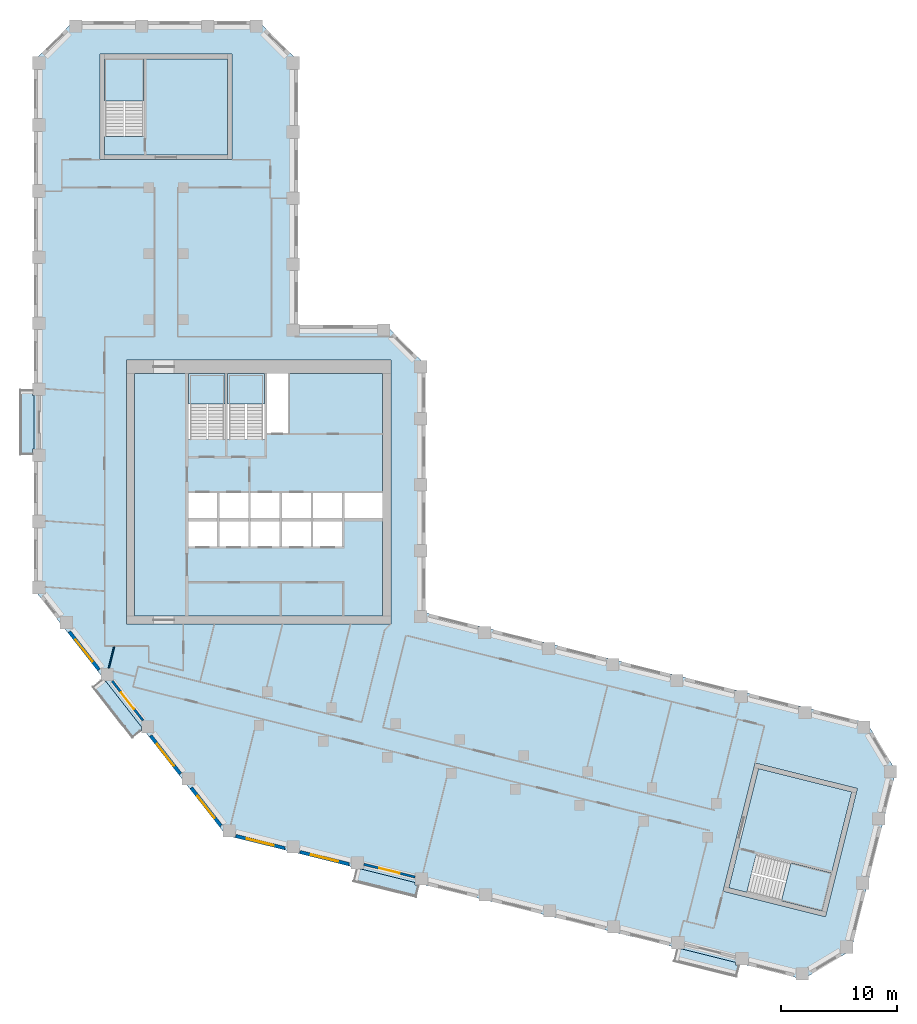
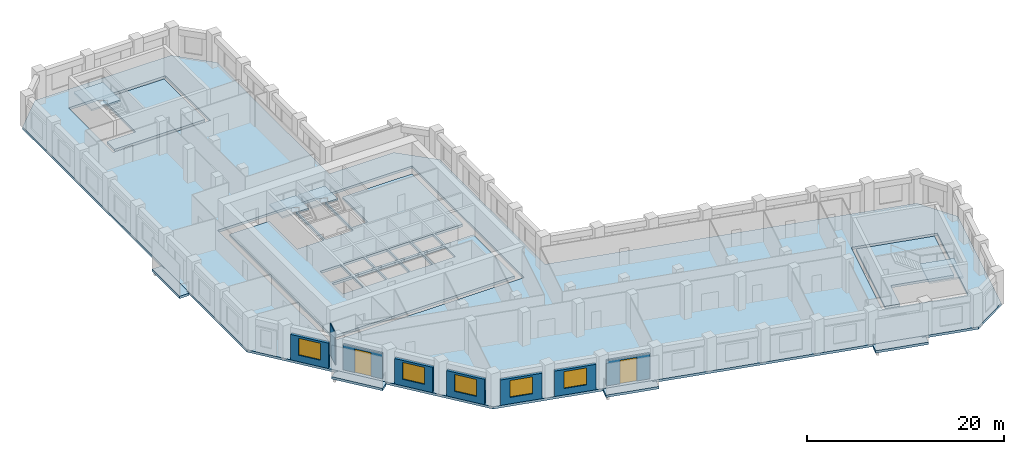
# One storey, part 2 of 10: 12 slabs, 8 walls, 5 windows, 2 doors, 7 openings, 4 elements without a shape of their own.
"""IFC4 building model written with IfcOpenShell, lengths in metres."""

from ifc_helpers import new_model, si_unit, direction, frame, frame_2d, origin, place, context, subcontext, project, spatial, polyline, rectangle, outline, extrude, material, layer, layer_set, type_object, element, fill, aggregate, save


model = new_model("IFC4")

# Units and contexts
model_context = context("Model", 3, precision=1e-05, world=origin(), true_north=direction((0.0, 1.0)))
body_context = subcontext(model_context, "Body", "Model", "MODEL_VIEW")
ifc_project = project(units=[si_unit("LENGTHUNIT", "METRE"), si_unit("AREAUNIT", "SQUARE_METRE"), si_unit("VOLUMEUNIT", "CUBIC_METRE"), si_unit("PLANEANGLEUNIT", "RADIAN"), si_unit("MASSUNIT", "GRAM", prefix="KILO")], contexts=[model_context])

# Site, building, storey
site_placement = place(None, origin())
site = spatial("IfcSite", under=ifc_project, at=site_placement, CompositionType="ELEMENT")
building_placement = place(site_placement, origin())
building = spatial("IfcBuilding", under=site, at=building_placement, Name="Meshkara Civic Tower", CompositionType="ELEMENT")
storey_placement = place(building_placement, frame((0.0, 0.0, 271.800048828125)))
storey = spatial("IfcBuildingStorey", under=building, at=storey_placement, Name="L62", CompositionType="ELEMENT", Elevation=271.800048828125)

# Slabs
ifc_material_1 = material(Name="Concrete C40", Category="concrete")
ifc_layer_1 = layer(ifc_material_1, 0.300048828125)
ifc_layer_set_1 = layer_set([ifc_layer_1], Name="BALCONY SLAB")
slab_type_1 = type_object("IfcSlabType", Name="BALCONY SLAB", PredefinedType="FLOOR", material=ifc_layer_set_1)
slab_1_placement = place(storey_placement, frame((0.0, 0.0, -0.300048828125)))
element("IfcSlab", 1, at=slab_1_placement, inside=storey, type_object=slab_type_1, Name="Balcony slab", PredefinedType="FLOOR", context=body_context, shape_type="SweptSolid", body=[
    extrude(outline(polyline([(-1.199951171875, 28.715087890625), (-1.199951171875, 34.294921875), (-0.10009765625, 34.294921875), (-0.10009765625, 33.804931640625), (0.0, 33.804931640625), (0.0, 29.205078125), (-0.10009765625, 29.205078125), (-0.10009765625, 28.715087890625), (-1.199951171875, 28.715087890625)])), origin(), (0.0, 0.0, 1.0), 0.300048828125),
])
slab_2_placement = place(storey_placement, frame((0.0, 0.0, -0.300048828125)))
element("IfcSlab", 2, at=slab_2_placement, inside=storey, type_object=slab_type_1, Name="Balcony slab", PredefinedType="FLOOR", context=body_context, shape_type="SweptSolid", body=[
    extrude(outline(polyline([(8.49609375, 4.27587890625), (5.06005859375, 8.674072265625), (5.77294921875, 9.23095703125), (5.77294921875, 9.18701171875), (6.181884765625, 9.18701171875), (9.282958984375, 5.218017578125), (9.282958984375, 4.89111328125), (8.49609375, 4.27587890625)])), origin(), (0.0, 0.0, 1.0), 0.300048828125),
])
slab_3_placement = place(storey_placement, frame((0.0, 0.0, -0.300048828125)))
element("IfcSlab", 3, at=slab_3_placement, inside=storey, type_object=slab_type_1, Name="Balcony slab", PredefinedType="FLOOR", context=body_context, shape_type="SweptSolid", body=[
    extrude(outline(polyline([(32.986083984375, -9.4609375), (27.571044921875, -8.111083984375), (27.8369140625, -7.0458984375), (28.260009765625, -7.0458984375), (32.89306640625, -8.200927734375), (32.89306640625, -8.425048828125), (33.243896484375, -8.425048828125), (32.986083984375, -9.4609375)])), origin(), (0.0, 0.0, 1.0), 0.300048828125),
])
slab_4_placement = place(storey_placement, frame((0.0, 0.0, -0.300048828125)))
element("IfcSlab", 4, at=slab_4_placement, inside=storey, type_object=slab_type_1, Name="Balcony slab", PredefinedType="FLOOR", context=body_context, shape_type="SweptSolid", body=[
    extrude(outline(polyline([(60.639892578125, -16.35595703125), (55.22509765625, -15.006103515625), (55.490966796875, -13.93994140625), (55.910888671875, -13.93994140625), (60.547119140625, -15.095947265625), (60.547119140625, -15.319091796875), (60.89794921875, -15.319091796875), (60.639892578125, -16.35595703125)])), origin(), (0.0, 0.0, 1.0), 0.300048828125),
])
ifc_material_2 = material(Name="Concrete C40/50", Category="concrete")
ifc_layer_2 = layer(ifc_material_2, 0.300048828125)
ifc_layer_set_2 = layer_set([ifc_layer_2], Name="Core floor slab 300 C40/50")
slab_type_2 = type_object("IfcSlabType", Name="Core floor slab 300 C40/50", PredefinedType="FLOOR", material=ifc_layer_set_2)
slab_5_placement = place(storey_placement, frame((0.0, 0.0, -0.300048828125)))
element("IfcSlab", 5, at=slab_5_placement, inside=storey, type_object=slab_type_2, Name="Core floor K", PredefinedType="FLOOR", context=body_context, shape_type="SweptSolid", body=[
    extrude(outline(polyline([(8.699951171875, 35.699951171875), (13.35009765625, 35.699951171875), (13.35009765625, 30.00146484375), (16.5, 30.00146484375), (16.5, 35.699951171875), (16.699951171875, 35.699951171875), (16.699951171875, 30.00146484375), (19.89990234375, 30.00146484375), (19.89990234375, 35.699951171875), (20.10009765625, 35.699951171875), (20.10009765625, 30.574951171875), (21.925048828125, 30.574951171875), (21.925048828125, 35.699951171875), (30.10009765625, 35.699951171875), (30.10009765625, 25.39990234375), (26.800048828125, 25.39990234375), (26.800048828125, 23.25), (30.10009765625, 23.25), (30.10009765625, 14.800048828125), (8.699951171875, 14.800048828125), (8.699951171875, 35.699951171875)]), holes=[polyline([(15.800048828125, 22.949951171875), (13.35009765625, 22.949951171875), (13.35009765625, 20.800048828125), (15.800048828125, 20.800048828125), (15.800048828125, 22.949951171875)]), polyline([(16.0, 22.949951171875), (16.0, 20.800048828125), (18.5, 20.800048828125), (18.5, 22.949951171875), (16.0, 22.949951171875)]), polyline([(18.699951171875, 22.949951171875), (18.699951171875, 20.800048828125), (21.199951171875, 20.800048828125), (21.199951171875, 22.949951171875), (18.699951171875, 22.949951171875)]), polyline([(15.800048828125, 23.25), (15.800048828125, 25.39990234375), (13.35009765625, 25.39990234375), (13.35009765625, 23.25), (15.800048828125, 23.25)]), polyline([(16.0, 25.39990234375), (16.0, 23.25), (18.5, 23.25), (18.5, 25.39990234375), (16.0, 25.39990234375)]), polyline([(23.89990234375, 20.800048828125), (23.89990234375, 22.949951171875), (21.39990234375, 22.949951171875), (21.39990234375, 20.800048828125), (23.89990234375, 20.800048828125)]), polyline([(24.10009765625, 20.800048828125), (26.60009765625, 20.800048828125), (26.60009765625, 22.949951171875), (24.10009765625, 22.949951171875), (24.10009765625, 20.800048828125)]), polyline([(18.699951171875, 25.39990234375), (18.699951171875, 23.25), (21.199951171875, 23.25), (21.199951171875, 25.39990234375), (18.699951171875, 25.39990234375)]), polyline([(21.39990234375, 23.25), (23.89990234375, 23.25), (23.89990234375, 25.39990234375), (21.39990234375, 25.39990234375), (21.39990234375, 23.25)]), polyline([(26.60009765625, 23.25), (26.60009765625, 25.39990234375), (24.10009765625, 25.39990234375), (24.10009765625, 23.25), (26.60009765625, 23.25)])]), origin(), (0.0, 0.0, 1.0), 0.300048828125),
])
slab_6_placement = place(storey_placement, frame((0.0, 0.0, -0.300048828125)))
element("IfcSlab", 6, at=slab_6_placement, inside=storey, type_object=slab_type_2, Name="Core floor EA", PredefinedType="FLOOR", context=body_context, shape_type="SweptSolid", body=[
    extrude(outline(polyline([(16.699951171875, 54.570068359375), (16.699951171875, 62.8701171875), (9.5, 62.8701171875), (9.5, 56.17138671875), (6.10009765625, 56.17138671875), (6.10009765625, 54.570068359375), (16.699951171875, 54.570068359375)])), origin(), (0.0, 0.0, 1.0), 0.300048828125),
])
slab_7_placement = place(storey_placement, frame((0.0, 0.0, -0.300048828125)))
element("IfcSlab", 7, at=slab_7_placement, inside=storey, type_object=slab_type_2, Name="Core floor EB", PredefinedType="FLOOR", context=body_context, shape_type="SweptSolid", body=[
    extrude(outline(polyline([(62.519775390625, 1.623291015625), (70.5732421875, -0.384765625), (68.83154296875, -7.370849609375), (62.33203125, -5.750244140625), (61.50927734375, -9.04931640625), (59.95556640625, -8.661865234375), (62.519775390625, 1.623291015625)])), origin(), (0.0, 0.0, 1.0), 0.300048828125),
])

# Stair, slab
ifc_material_3 = material(Name="Precast concrete C40/50", Category="concrete")
stair_type_1 = type_object("IfcStairType", Name="Exit stair half-turn 24 risers precast", PredefinedType="HALF_TURN_STAIR", material=ifc_material_3)
stair_1_placement = place(storey_placement, origin())
stair_1 = element("IfcStair", 8, at=stair_1_placement, inside=storey, type_object=stair_type_1, Name="L62 exit stair 1", PredefinedType="HALF_TURN_STAIR")
ifc_material_4 = material(Name="Precast concrete C40/50", Category="concrete")
ifc_layer_3 = layer(ifc_material_4, 0.199951171875)
ifc_layer_set_3 = layer_set([ifc_layer_3], Name="Exit stair landing 200")
slab_type_3 = type_object("IfcSlabType", Name="Exit stair landing 200", PredefinedType="LANDING", material=ifc_layer_set_3)
slab_8_placement = place(storey_placement, frame((0.0, 0.0, 1.89990234375)))
slab_8 = element("IfcSlab", 9, at=slab_8_placement, type_object=slab_type_3, Name="ST1 landing 1", PredefinedType="LANDING", context=body_context, shape_type="SweptSolid", body=[
    extrude(outline(polyline([(16.5, 33.07861328125), (16.5, 35.699951171875), (13.35009765625, 35.699951171875), (13.35009765625, 33.07861328125), (16.5, 33.07861328125)])), origin(), (0.0, 0.0, 1.0), 0.199951171875),
])
aggregate(stair_1, [slab_8])

stair_2_placement = place(storey_placement, origin())
stair_2 = element("IfcStair", 10, at=stair_2_placement, inside=storey, type_object=stair_type_1, Name="L62 exit stair 2", PredefinedType="HALF_TURN_STAIR")
slab_9_placement = place(storey_placement, frame((0.0, 0.0, 1.89990234375)))
slab_9 = element("IfcSlab", 11, at=slab_9_placement, type_object=slab_type_3, Name="ST2 landing 1", PredefinedType="LANDING", context=body_context, shape_type="SweptSolid", body=[
    extrude(outline(polyline([(19.89990234375, 33.07861328125), (19.89990234375, 35.699951171875), (16.699951171875, 35.699951171875), (16.699951171875, 33.07861328125), (19.89990234375, 33.07861328125)])), origin(), (0.0, 0.0, 1.0), 0.199951171875),
])
aggregate(stair_2, [slab_9])

ifc_material_5 = material(Name="Precast concrete C40/50", Category="concrete")
stair_type_2 = type_object("IfcStairType", Name="Exit stair half-turn 24 risers 1600 precast", PredefinedType="HALF_TURN_STAIR", material=ifc_material_5)
stair_3_placement = place(storey_placement, origin())
stair_3 = element("IfcStair", 12, at=stair_3_placement, inside=storey, type_object=stair_type_2, Name="L62 exit stair A from L50", PredefinedType="HALF_TURN_STAIR")
slab_10_placement = place(storey_placement, frame((0.0, 0.0, 1.89990234375)))
slab_10 = element("IfcSlab", 13, at=slab_10_placement, type_object=slab_type_3, Name="ESA4 landing 1", PredefinedType="LANDING", context=body_context, shape_type="SweptSolid", body=[
    extrude(outline(polyline([(9.5, 59.24853515625), (9.5, 62.8701171875), (6.10009765625, 62.8701171875), (6.10009765625, 59.24853515625), (9.5, 59.24853515625)])), origin(), (0.0, 0.0, 1.0), 0.199951171875),
])
aggregate(stair_3, [slab_10])

stair_4_placement = place(storey_placement, origin())
stair_4 = element("IfcStair", 14, at=stair_4_placement, inside=storey, type_object=stair_type_2, Name="L62 exit stair B from L50", PredefinedType="HALF_TURN_STAIR")
slab_11_placement = place(storey_placement, frame((0.0, 0.0, 1.89990234375)))
slab_11 = element("IfcSlab", 15, at=slab_11_placement, type_object=slab_type_3, Name="ESB4 landing 1", PredefinedType="LANDING", context=body_context, shape_type="SweptSolid", body=[
    extrude(outline(polyline([(64.49462890625, -9.794677734375), (68.0087890625, -10.67138671875), (68.83203125, -7.371337890625), (65.318115234375, -6.49462890625), (64.49462890625, -9.794677734375)])), origin(), (0.0, 0.0, 1.0), 0.199951171875),
])
aggregate(stair_4, [slab_11])

# Slab
ifc_material_6 = material(Name="Concrete C50", Category="concrete")
ifc_layer_4 = layer(ifc_material_6, 0.300048828125)
ifc_layer_set_4 = layer_set([ifc_layer_4], Name="Post-tensioned flat slab 300 C50")
slab_type_4 = type_object("IfcSlabType", Name="Post-tensioned flat slab 300 C50", PredefinedType="FLOOR", material=ifc_layer_set_4)
slab_12_placement = place(storey_placement, frame((0.0, 0.0, -0.300048828125)))
element("IfcSlab", 16, at=slab_12_placement, inside=storey, type_object=slab_type_4, Name="Post-tensioned flat slab L62", PredefinedType="FLOOR", context=body_context, shape_type="SweptSolid", body=[
    extrude(outline(polyline([(70.513916015625, -14.055908203125), (66.367919921875, -16.547119140625), (16.592041015625, -4.136962890625), (0.0, 17.10009765625), (0.0, 62.699951171875), (3.419921875, 66.1201171875), (19.3798828125, 66.1201171875), (22.800048828125, 62.699951171875), (22.800048828125, 39.89990234375), (30.3798828125, 39.89990234375), (33.800048828125, 36.47998046875), (33.800048828125, 15.071044921875), (71.884033203125, 5.574951171875), (74.375, 1.429931640625), (70.513916015625, -14.055908203125)]), holes=[polyline([(68.300048828125, -11.155029296875), (71.05810546875, -0.093017578125), (62.22802734375, 2.10791015625), (59.470947265625, -8.952880859375), (68.300048828125, -11.155029296875)]), polyline([(8.0, 14.10009765625), (30.800048828125, 14.10009765625), (30.800048828125, 36.89990234375), (8.0, 36.89990234375), (8.0, 14.10009765625)]), polyline([(5.699951171875, 63.27001953125), (5.699951171875, 54.169921875), (17.10009765625, 54.169921875), (17.10009765625, 63.27001953125), (5.699951171875, 63.27001953125)])]), origin(), (0.0, 0.0, 1.0), 0.300048828125),
])

# Wall, opening, window
ifc_material_7 = material(Name="Insulated infill panel with bronze anodised aluminium cladding", Category="aluminium")
ifc_layer_5 = layer(ifc_material_7, 0.300048828125)
ifc_layer_set_5 = layer_set([ifc_layer_5], Name="EXTERNAL INFILL WALL 300")
wall_type_1 = type_object("IfcWallType", Name="EXTERNAL INFILL WALL 300", PredefinedType="SOLIDWALL", material=ifc_layer_set_5)
wall_1_placement = place(storey_placement, frame((3.052978515625, 13.43603515625, 0.0), z_axis=(0.0, 0.0, 1.0), x_axis=(0.615699893917, -0.787980736205, 0.0)))
wall_1 = element("IfcWall", 17, at=wall_1_placement, inside=storey, type_object=wall_type_1, Name="External wall", PredefinedType="SOLIDWALL", context=body_context, shape_type="SweptSolid", body=[
    extrude(rectangle(XDim=4.156494140625, YDim=0.300048828125, at=frame_2d((2.078125, 0.0))), origin(), (0.0, 0.0, 1.0), 3.14990234375),
])
opening_1_placement = place(wall_1_placement, frame((0.8779296875, 0.0, 0.800048828125)))
opening_1 = element("IfcOpeningElement", 18, at=opening_1_placement, cuts=wall_1, Name="Opening W7", PredefinedType="OPENING", context=body_context, shape_type="SweptSolid", body=[
    extrude(rectangle(XDim=2.39990234375, YDim=2.10009765625, at=frame_2d((1.199951171875, 1.050048828125))), frame((0.0, 0.159912109375, 0.0), z_axis=(0.0, -1.0, 0.0), x_axis=(1.0, 0.0, 0.0)), (0.0, 0.0, 1.0), 0.320068359375),
])
ifc_material_8 = material(Name="Tinted double glazing", Category="glass")
window_type = type_object("IfcWindowType", Name="WINDOW 2400x2100", PartitioningType="DOUBLE_PANEL_VERTICAL", PredefinedType="WINDOW", material=ifc_material_8)
window_1_placement = place(opening_1_placement, origin())
window_1 = element("IfcWindow", 19, at=window_1_placement, inside=storey, type_object=window_type, Name="Window", OverallHeight=2.10009765625, OverallWidth=2.39990234375, PartitioningType="DOUBLE_PANEL_VERTICAL", PredefinedType="WINDOW", context=body_context, shape_type="SweptSolid", body=[
    extrude(rectangle(XDim=2.39990234375, YDim=2.10009765625, at=frame_2d((1.199951171875, 1.050048828125))), frame((0.0, 0.030029296875, 0.0), z_axis=(0.0, -1.0, 0.0), x_axis=(1.0, 0.0, 0.0)), (0.0, 0.0, 1.0), 0.06005859375),
])
fill(opening_1, window_1)

wall_2_placement = place(storey_placement, frame((10.072021484375, 4.451904296875, 0.0), z_axis=(0.0, 0.0, 1.0), x_axis=(0.615660006568, -0.788011901124, 0.0)))
wall_2 = element("IfcWall", 20, at=wall_2_placement, inside=storey, type_object=wall_type_1, Name="External wall", PredefinedType="SOLIDWALL", context=body_context, shape_type="SweptSolid", body=[
    extrude(rectangle(XDim=4.15478515625, YDim=0.300048828125, at=frame_2d((2.077392578125, 0.0))), origin(), (0.0, 0.0, 1.0), 3.14990234375),
])
opening_2_placement = place(wall_2_placement, frame((0.8779296875, 0.0, 0.800048828125)))
opening_2 = element("IfcOpeningElement", 21, at=opening_2_placement, cuts=wall_2, Name="Opening W7", PredefinedType="OPENING", context=body_context, shape_type="SweptSolid", body=[
    extrude(rectangle(XDim=2.39990234375, YDim=2.10009765625, at=frame_2d((1.199951171875, 1.050048828125))), frame((0.0, 0.159912109375, 0.0), z_axis=(0.0, -1.0, 0.0), x_axis=(1.0, 0.0, 0.0)), (0.0, 0.0, 1.0), 0.320068359375),
])
window_2_placement = place(opening_2_placement, origin())
window_2 = element("IfcWindow", 22, at=window_2_placement, inside=storey, type_object=window_type, Name="Window", OverallHeight=2.10009765625, OverallWidth=2.39990234375, PartitioningType="DOUBLE_PANEL_VERTICAL", PredefinedType="WINDOW", context=body_context, shape_type="SweptSolid", body=[
    extrude(rectangle(XDim=2.39990234375, YDim=2.10009765625, at=frame_2d((1.199951171875, 1.050048828125))), frame((0.0, 0.030029296875, 0.0), z_axis=(0.0, -1.0, 0.0), x_axis=(1.0, 0.0, 0.0)), (0.0, 0.0, 1.0), 0.06005859375),
])
fill(opening_2, window_2)

wall_3_placement = place(storey_placement, frame((13.5810546875, -0.0390625, 0.0), z_axis=(0.0, 0.0, 1.0), x_axis=(0.615545986363, -0.788100969846, 0.0)))
wall_3 = element("IfcWall", 23, at=wall_3_placement, inside=storey, type_object=wall_type_1, Name="External wall", PredefinedType="SOLIDWALL", context=body_context, shape_type="SweptSolid", body=[
    extrude(rectangle(XDim=4.155517578125, YDim=0.300048828125, at=frame_2d((2.07763671875, 0.0))), origin(), (0.0, 0.0, 1.0), 3.14990234375),
])
opening_3_placement = place(wall_3_placement, frame((0.8779296875, 0.0, 0.800048828125)))
opening_3 = element("IfcOpeningElement", 24, at=opening_3_placement, cuts=wall_3, Name="Opening W7", PredefinedType="OPENING", context=body_context, shape_type="SweptSolid", body=[
    extrude(rectangle(XDim=2.39990234375, YDim=2.10009765625, at=frame_2d((1.199951171875, 1.050048828125))), frame((0.0, 0.159912109375, 0.0), z_axis=(0.0, -1.0, 0.0), x_axis=(1.0, 0.0, 0.0)), (0.0, 0.0, 1.0), 0.320068359375),
])
window_3_placement = place(opening_3_placement, origin())
window_3 = element("IfcWindow", 25, at=window_3_placement, inside=storey, type_object=window_type, Name="Window", OverallHeight=2.10009765625, OverallWidth=2.39990234375, PartitioningType="DOUBLE_PANEL_VERTICAL", PredefinedType="WINDOW", context=body_context, shape_type="SweptSolid", body=[
    extrude(rectangle(XDim=2.39990234375, YDim=2.10009765625, at=frame_2d((1.199951171875, 1.050048828125))), frame((0.0, 0.030029296875, 0.0), z_axis=(0.0, -1.0, 0.0), x_axis=(1.0, 0.0, 0.0)), (0.0, 0.0, 1.0), 0.06005859375),
])
fill(opening_3, window_3)

wall_4_placement = place(storey_placement, frame((17.425048828125, -4.18994140625, 0.0), z_axis=(0.0, 0.0, 1.0), x_axis=(0.970270592847, -0.242022677978, 0.0)))
wall_4 = element("IfcWall", 26, at=wall_4_placement, inside=storey, type_object=wall_type_1, Name="External wall", PredefinedType="SOLIDWALL", context=body_context, shape_type="SweptSolid", body=[
    extrude(rectangle(XDim=4.367919921875, YDim=0.300048828125, at=frame_2d((2.18408203125, 0.0))), origin(), (0.0, 0.0, 1.0), 3.14990234375),
])
opening_4_placement = place(wall_4_placement, frame((0.98291015625, 0.0, 0.800048828125)))
opening_4 = element("IfcOpeningElement", 27, at=opening_4_placement, cuts=wall_4, Name="Opening W7", PredefinedType="OPENING", context=body_context, shape_type="SweptSolid", body=[
    extrude(rectangle(XDim=2.39990234375, YDim=2.10009765625, at=frame_2d((1.199951171875, 1.050048828125))), frame((0.0, 0.159912109375, 0.0), z_axis=(0.0, -1.0, 0.0), x_axis=(1.0, 0.0, 0.0)), (0.0, 0.0, 1.0), 0.320068359375),
])
window_4_placement = place(opening_4_placement, origin())
window_4 = element("IfcWindow", 28, at=window_4_placement, inside=storey, type_object=window_type, Name="Window", OverallHeight=2.10009765625, OverallWidth=2.39990234375, PartitioningType="DOUBLE_PANEL_VERTICAL", PredefinedType="WINDOW", context=body_context, shape_type="SweptSolid", body=[
    extrude(rectangle(XDim=2.39990234375, YDim=2.10009765625, at=frame_2d((1.199951171875, 1.050048828125))), frame((0.0, 0.030029296875, 0.0), z_axis=(0.0, -1.0, 0.0), x_axis=(1.0, 0.0, 0.0)), (0.0, 0.0, 1.0), 0.06005859375),
])
fill(opening_4, window_4)

wall_5_placement = place(storey_placement, frame((22.9560546875, -5.569091796875, 0.0), z_axis=(0.0, 0.0, 1.0), x_axis=(0.970323116569, -0.241812012628, 0.0)))
wall_5 = element("IfcWall", 29, at=wall_5_placement, inside=storey, type_object=wall_type_1, Name="External wall", PredefinedType="SOLIDWALL", context=body_context, shape_type="SweptSolid", body=[
    extrude(rectangle(XDim=4.36669921875, YDim=0.300048828125, at=frame_2d((2.183349609375, 0.0))), origin(), (0.0, 0.0, 1.0), 3.14990234375),
])
opening_5_placement = place(wall_5_placement, frame((0.98291015625, 0.0, 0.800048828125)))
opening_5 = element("IfcOpeningElement", 30, at=opening_5_placement, cuts=wall_5, Name="Opening W7", PredefinedType="OPENING", context=body_context, shape_type="SweptSolid", body=[
    extrude(rectangle(XDim=2.39990234375, YDim=2.10009765625, at=frame_2d((1.199951171875, 1.050048828125))), frame((0.0, 0.159912109375, 0.0), z_axis=(0.0, -1.0, 0.0), x_axis=(1.0, 0.0, 0.0)), (0.0, 0.0, 1.0), 0.320068359375),
])
window_5_placement = place(opening_5_placement, origin())
window_5 = element("IfcWindow", 31, at=window_5_placement, inside=storey, type_object=window_type, Name="Window", OverallHeight=2.10009765625, OverallWidth=2.39990234375, PartitioningType="DOUBLE_PANEL_VERTICAL", PredefinedType="WINDOW", context=body_context, shape_type="SweptSolid", body=[
    extrude(rectangle(XDim=2.39990234375, YDim=2.10009765625, at=frame_2d((1.199951171875, 1.050048828125))), frame((0.0, 0.030029296875, 0.0), z_axis=(0.0, -1.0, 0.0), x_axis=(1.0, 0.0, 0.0)), (0.0, 0.0, 1.0), 0.06005859375),
])
fill(opening_5, window_5)

# Wall, opening, door
ifc_material_9 = material(Name="Insulated infill panel with bronze anodised aluminium cladding", Category="aluminium")
ifc_layer_6 = layer(ifc_material_9, 0.199951171875)
ifc_layer_set_6 = layer_set([ifc_layer_6], Name="LOGGIA BACK WALL 200")
wall_type_2 = type_object("IfcWallType", Name="LOGGIA BACK WALL 200", PredefinedType="SOLIDWALL", material=ifc_layer_set_6)
wall_6_placement = place(storey_placement, frame((6.75390625, 9.18701171875, 0.0), z_axis=(0.0, 0.0, 1.0), x_axis=(0.615514142447, -0.78812584049, 0.0)))
wall_6 = element("IfcWall", 32, at=wall_6_placement, inside=storey, type_object=wall_type_2, Name="Loggia wall", PredefinedType="SOLIDWALL", context=body_context, shape_type="SweptSolid", body=[
    extrude(rectangle(XDim=4.303955078125, YDim=0.199951171875, at=frame_2d((2.15185546875, 0.0))), origin(), (0.0, 0.0, 1.0), 3.14990234375),
])
opening_6_placement = place(wall_6_placement, frame((1.251953125, 0.0, 0.0)))
opening_6 = element("IfcOpeningElement", 33, at=opening_6_placement, cuts=wall_6, Name="Opening L62-L002", PredefinedType="OPENING", context=body_context, shape_type="SweptSolid", body=[
    extrude(rectangle(XDim=1.800048828125, YDim=2.89990234375, at=frame_2d((0.89990234375, 1.449951171875))), frame((0.0, 0.10986328125, 0.0), z_axis=(0.0, -1.0, 0.0), x_axis=(1.0, 0.0, 0.0)), (0.0, 0.0, 1.0), 0.219970703125),
])
ifc_material_10 = material(Name="Tinted double glazing", Category="glass")
door_type = type_object("IfcDoorType", Name="LOGGIA DOOR 1800x2900", OperationType="DOUBLE_DOOR_SINGLE_SWING", PredefinedType="DOOR", material=ifc_material_10)
door_1_placement = place(opening_6_placement, origin())
door_1 = element("IfcDoor", 34, at=door_1_placement, inside=storey, type_object=door_type, Name="L62-L002", OperationType="DOUBLE_DOOR_SINGLE_SWING", OverallHeight=2.89990234375, OverallWidth=1.800048828125, PredefinedType="DOOR", context=body_context, shape_type="SweptSolid", body=[
    extrude(rectangle(XDim=1.800048828125, YDim=2.89990234375, at=frame_2d((0.89990234375, 1.449951171875))), frame((0.0, 0.02490234375, 0.0), z_axis=(0.0, -1.0, 0.0), x_axis=(1.0, 0.0, 0.0)), (0.0, 0.0, 1.0), 0.050048828125),
])
fill(opening_6, door_1)

wall_7_placement = place(storey_placement, frame((28.4619140625, -6.633056640625, 0.0), z_axis=(0.0, 0.0, 1.0), x_axis=(0.970337166083, -0.241755628927, 0.0)))
wall_7 = element("IfcWall", 35, at=wall_7_placement, inside=storey, type_object=wall_type_2, Name="Loggia wall", PredefinedType="SOLIDWALL", context=body_context, shape_type="SweptSolid", body=[
    extrude(rectangle(XDim=4.566650390625, YDim=0.199951171875, at=frame_2d((2.283203125, 0.0))), origin(), (0.0, 0.0, 1.0), 3.14990234375),
])
opening_7_placement = place(wall_7_placement, frame((1.383056640625, 0.0, 0.0)))
opening_7 = element("IfcOpeningElement", 36, at=opening_7_placement, cuts=wall_7, Name="Opening L62-L003", PredefinedType="OPENING", context=body_context, shape_type="SweptSolid", body=[
    extrude(rectangle(XDim=1.800048828125, YDim=2.89990234375, at=frame_2d((0.89990234375, 1.449951171875))), frame((0.0, 0.10986328125, 0.0), z_axis=(0.0, -1.0, 0.0), x_axis=(1.0, 0.0, 0.0)), (0.0, 0.0, 1.0), 0.219970703125),
])
door_2_placement = place(opening_7_placement, origin())
door_2 = element("IfcDoor", 37, at=door_2_placement, inside=storey, type_object=door_type, Name="L62-L003", OperationType="DOUBLE_DOOR_SINGLE_SWING", OverallHeight=2.89990234375, OverallWidth=1.800048828125, PredefinedType="DOOR", context=body_context, shape_type="SweptSolid", body=[
    extrude(rectangle(XDim=1.800048828125, YDim=2.89990234375, at=frame_2d((0.89990234375, 1.449951171875))), frame((0.0, 0.02490234375, 0.0), z_axis=(0.0, -1.0, 0.0), x_axis=(1.0, 0.0, 0.0)), (0.0, 0.0, 1.0), 0.050048828125),
])
fill(opening_7, door_2)

# Wall
ifc_material_11 = material(Name="Partition 100")
ifc_layer_7 = layer(ifc_material_11, 0.10009765625)
ifc_layer_set_7 = layer_set([ifc_layer_7], Name="Partition 100")
wall_type_3 = type_object("IfcWallType", Name="Partition 100", PredefinedType="PARTITIONING", material=ifc_layer_set_7)
wall_8_placement = place(storey_placement, frame((6.922119140625, 12.137939453125, 0.0), z_axis=(0.0, 0.0, 1.0), x_axis=(-0.242264600824, -0.970210215978, 0.0)))
element("IfcWall", 38, at=wall_8_placement, inside=storey, type_object=wall_type_3, Name="L62-W039", PredefinedType="PARTITIONING", context=body_context, shape_type="SweptSolid", body=[
    extrude(rectangle(XDim=1.90771484375, YDim=0.10009765625, at=frame_2d((0.953857421875, 0.0))), origin(), (0.0, 0.0, 1.0), 3.89990234375),
])

save(model, "model.ifc")
